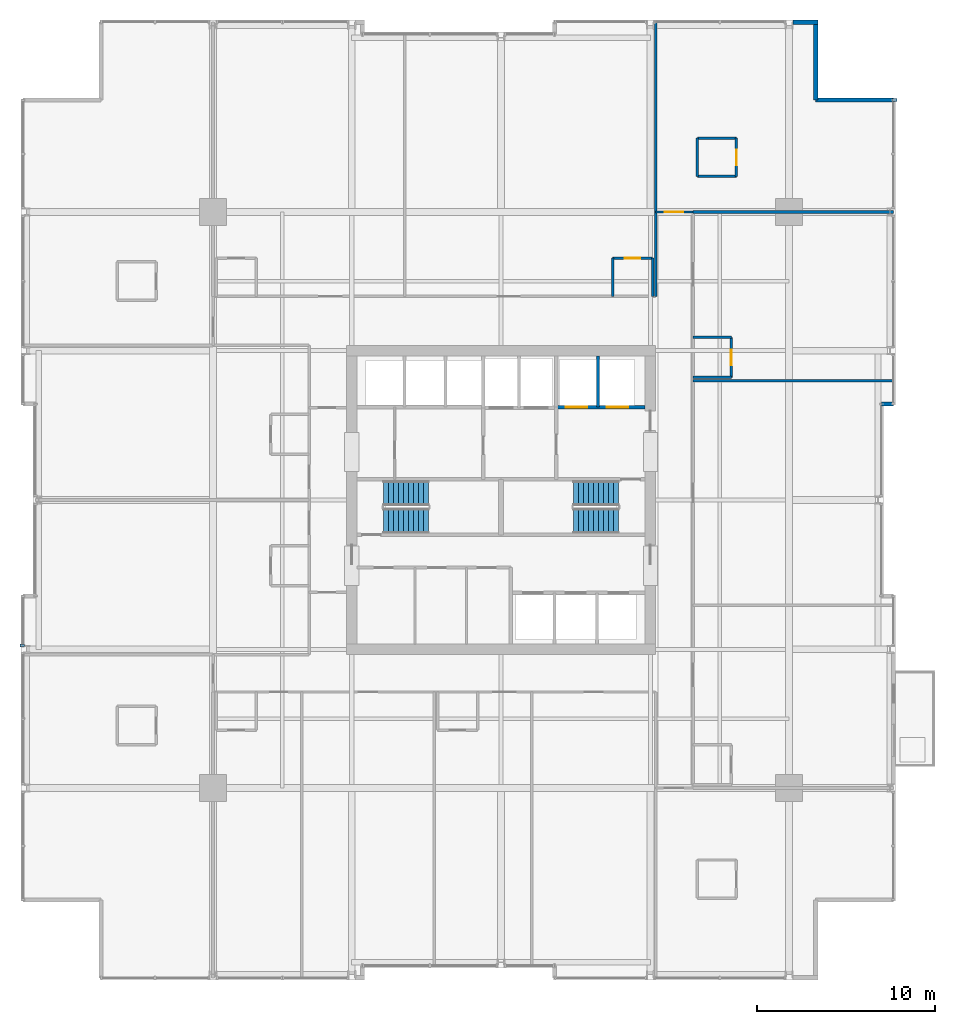
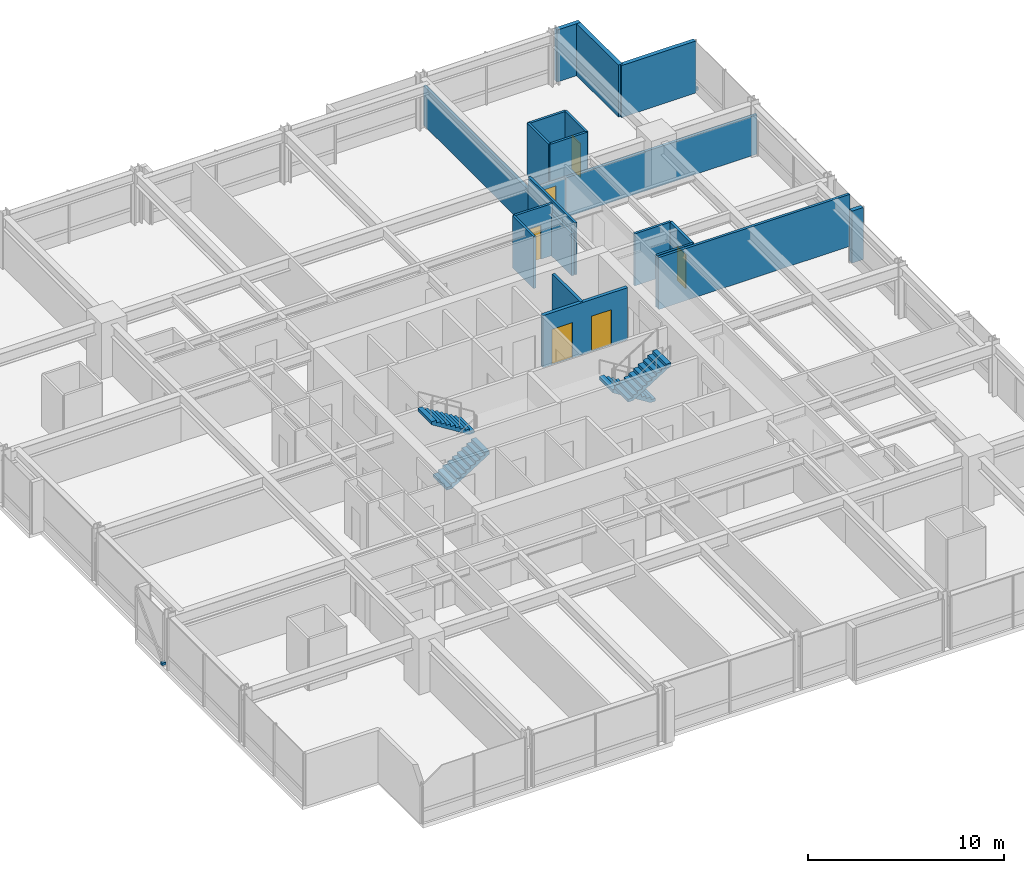
# One storey, part 31 of 34: 21 walls, 6 doors, 4 stair flights, 2 discrete accessories, 6 openings, 2 elements without a shape of their own.
"""IFC4 building model written with IfcOpenShell, lengths in metres."""

from ifc_helpers import new_model, si_unit, direction, frame, frame_2d, origin, origin_2d, place, context, subcontext, project, spatial, polyline, rectangle, outline, extrude, material, layer, layer_set, type_object, element, fill, aggregate, save


model = new_model("IFC4")

# Units and contexts
model_context = context("Model", 3, precision=1e-05, world=origin(), true_north=direction((0.0, 1.0)))
body_context = subcontext(model_context, "Body", "Model", "MODEL_VIEW")
ifc_project = project(units=[si_unit("LENGTHUNIT", "METRE"), si_unit("AREAUNIT", "SQUARE_METRE"), si_unit("VOLUMEUNIT", "CUBIC_METRE"), si_unit("PLANEANGLEUNIT", "RADIAN"), si_unit("MASSUNIT", "GRAM", prefix="KILO")], contexts=[model_context])

# Site, building, storey
site_placement = place(None, origin())
site = spatial("IfcSite", under=ifc_project, at=site_placement, CompositionType="ELEMENT")
building_placement = place(site_placement, origin())
building = spatial("IfcBuilding", under=site, at=building_placement, Name="Drelvath Grand Hotel", CompositionType="ELEMENT")
storey_placement = place(building_placement, frame((0.0, 0.0, 112.800048828125)))
storey = spatial("IfcBuildingStorey", under=building, at=storey_placement, Name="L28", CompositionType="ELEMENT", Elevation=112.800048828125)

# Wall, openings, doors
ifc_material_1 = material(Name="Concrete C40/50", Category="concrete")
ifc_layer_1 = layer(ifc_material_1, 0.199951171875)
ifc_layer_set_1 = layer_set([ifc_layer_1], Name="Concrete C40/50")
wall_type_1 = type_object("IfcWallType", Name="Core Hoistway Fire Wall 200", PredefinedType="SOLIDWALL", material=ifc_layer_set_1)
wall_1_placement = place(storey_placement, frame((3.10009765625, 32.219970703125, 0.0), z_axis=(0.0, 0.0, 1.0), x_axis=(1.0, 0.0, 0.0)))
wall_1 = element("IfcWall", 1, at=wall_1_placement, inside=storey, type_object=wall_type_1, Name="L28 FSAE Hoistway Front Wall", PredefinedType="SOLIDWALL", context=body_context, shape_type="SweptSolid", body=[
    extrude(rectangle(XDim=5.0, YDim=0.199951171875, at=frame_2d((2.5, 0.0))), origin(), (0.0, 0.0, 1.0), 3.239990234375),
])
opening_1_placement = place(wall_1_placement, frame((0.550048828125, 0.0, 0.0)))
opening_1 = element("IfcOpeningElement", 2, at=opening_1_placement, cuts=wall_1, Name="Opening LD-FSAE-1", PredefinedType="OPENING", context=body_context, shape_type="SweptSolid", body=[
    extrude(rectangle(XDim=1.199951171875, YDim=2.199951171875, at=frame_2d((0.60009765625, 1.10009765625))), frame((0.0, 0.10986328125, 0.0), z_axis=(0.0, -1.0, 0.0), x_axis=(1.0, 0.0, 0.0)), (0.0, 0.0, 1.0), 0.219970703125),
])
opening_2_placement = place(wall_1_placement, frame((2.85009765625, 0.0, 0.0)))
opening_2 = element("IfcOpeningElement", 3, at=opening_2_placement, cuts=wall_1, Name="Opening LD-FSAE-2", PredefinedType="OPENING", context=body_context, shape_type="SweptSolid", body=[
    extrude(rectangle(XDim=1.199951171875, YDim=2.199951171875, at=frame_2d((0.60009765625, 1.10009765625))), frame((0.0, 0.10986328125, 0.0), z_axis=(0.0, -1.0, 0.0), x_axis=(1.0, 0.0, 0.0)), (0.0, 0.0, 1.0), 0.219970703125),
])
ifc_material_2 = material(Name="Stainless Steel S355", Category="steel")
door_type_1 = type_object("IfcDoorType", Name="FSAE Lift Sliding Landing Door 1200x2200", OperationType="NOTDEFINED", PredefinedType="DOOR", material=ifc_material_2)
door_1_placement = place(opening_1_placement, origin())
door_1 = element("IfcDoor", 4, at=door_1_placement, inside=storey, type_object=door_type_1, Name="L28 Lift FSAE-1 Landing Door", OperationType="SLIDING_TO_LEFT", OverallHeight=2.199951171875, OverallWidth=1.199951171875, PredefinedType="DOOR", context=body_context, shape_type="SweptSolid", body=[
    extrude(rectangle(XDim=1.199951171875, YDim=2.199951171875, at=frame_2d((0.60009765625, 1.10009765625))), frame((0.0, 0.02490234375, 0.0), z_axis=(0.0, -1.0, 0.0), x_axis=(1.0, 0.0, 0.0)), (0.0, 0.0, 1.0), 0.050048828125),
])
fill(opening_1, door_1)
door_2_placement = place(opening_2_placement, origin())
door_2 = element("IfcDoor", 5, at=door_2_placement, inside=storey, type_object=door_type_1, Name="L28 Lift FSAE-2 Landing Door", OperationType="SLIDING_TO_LEFT", OverallHeight=2.199951171875, OverallWidth=1.199951171875, PredefinedType="DOOR", context=body_context, shape_type="SweptSolid", body=[
    extrude(rectangle(XDim=1.199951171875, YDim=2.199951171875, at=frame_2d((0.60009765625, 1.10009765625))), frame((0.0, 0.02490234375, 0.0), z_axis=(0.0, -1.0, 0.0), x_axis=(1.0, 0.0, 0.0)), (0.0, 0.0, 1.0), 0.050048828125),
])
fill(opening_2, door_2)

# Walls
ifc_material_3 = material(Name="Gypsum Fireboard Partition")
ifc_layer_2 = layer(ifc_material_3, 0.1650390625)
ifc_layer_set_2 = layer_set([ifc_layer_2], Name="Gypsum Fireboard Partition")
wall_type_2 = type_object("IfcWallType", Name="Core Shaft Partition 165", PredefinedType="PARTITIONING", material=ifc_layer_set_2)
wall_2_placement = place(storey_placement, frame((5.449951171875, 32.219970703125, 0.0), z_axis=(0.0, 0.0, 1.0), x_axis=(0.0, 1.0, 0.0)))
element("IfcWall", 6, at=wall_2_placement, inside=storey, type_object=wall_type_2, Name="L28 FSAE Hoistway Divider", PredefinedType="PARTITIONING", context=body_context, shape_type="SweptSolid", body=[
    extrude(rectangle(XDim=2.880126953125, YDim=0.1650390625, at=frame_2d((1.43994140625, 0.0))), origin(), (0.0, 0.0, 1.0), 3.239990234375),
])
ifc_layer_3 = layer(ifc_material_3, 0.135009765625)
ifc_layer_set_3 = layer_set([ifc_layer_3], Name="Gypsum Fireboard Partition")
wall_type_3 = type_object("IfcWallType", Name="Corridor Fire Barrier Wall 135", PredefinedType="PARTITIONING", material=ifc_layer_set_3)
wall_3_placement = place(storey_placement, frame((8.699951171875, 38.449951171875, 0.0), z_axis=(0.0, 0.0, 1.0), x_axis=(0.0, 1.0, 0.0)))
element("IfcWall", 7, at=wall_3_placement, inside=storey, type_object=wall_type_3, Name="L28 East Spine North Inner Wall", PredefinedType="PARTITIONING", context=body_context, shape_type="SweptSolid", body=[
    extrude(rectangle(XDim=4.75, YDim=0.135009765625, at=frame_2d((2.375, 0.0))), origin(), (0.0, 0.0, 1.0), 3.239990234375),
])

# Wall, opening, door
wall_4_placement = place(storey_placement, frame((8.699951171875, 43.199951171875, 0.0), z_axis=(0.0, 0.0, 1.0), x_axis=(1.0, 0.0, 0.0)))
wall_4 = element("IfcWall", 8, at=wall_4_placement, inside=storey, type_object=wall_type_3, Name="L28 East Spine North End", PredefinedType="PARTITIONING", context=body_context, shape_type="SweptSolid", body=[
    extrude(rectangle(XDim=2.10009765625, YDim=0.135009765625, at=frame_2d((1.050048828125, 0.0))), origin(), (0.0, 0.0, 1.0), 2.45166015625),
])
opening_3_placement = place(wall_4_placement, frame((0.52001953125, 0.0, 0.0)))
opening_3 = element("IfcOpeningElement", 9, at=opening_3_placement, cuts=wall_4, Name="Opening D-T2G3-028", PredefinedType="OPENING", context=body_context, shape_type="SweptSolid", body=[
    extrude(rectangle(XDim=1.02001953125, YDim=2.14990234375, at=frame_2d((0.510009765625, 1.074951171875))), frame((0.0, 0.077392578125, 0.0), z_axis=(0.0, -1.0, 0.0), x_axis=(1.0, 0.0, 0.0)), (0.0, 0.0, 1.0), 0.155029296875),
])
ifc_material_4 = material(Name="Hardwood Walnut Timber", Category="wood")
door_type_2 = type_object("IfcDoorType", Name="Amenity Meeting Fire Door 1020x2150", OperationType="NOTDEFINED", PredefinedType="DOOR", material=ifc_material_4)
door_3_placement = place(opening_3_placement, origin())
door_3 = element("IfcDoor", 10, at=door_3_placement, inside=storey, type_object=door_type_2, Name="L28 Corner Suite Entry Door", OperationType="SINGLE_SWING_LEFT", OverallHeight=2.14990234375, OverallWidth=1.02001953125, PredefinedType="DOOR", context=body_context, shape_type="SweptSolid", body=[
    extrude(rectangle(XDim=1.02001953125, YDim=2.14990234375, at=frame_2d((0.510009765625, 1.074951171875))), frame((0.0, 0.02490234375, 0.0), z_axis=(0.0, -1.0, 0.0), x_axis=(1.0, 0.0, 0.0)), (0.0, 0.0, 1.0), 0.050048828125),
])
fill(opening_3, door_3)

# Walls
ifc_material_5 = material(Name="Moisture-Resistant Gypsum Board")
ifc_layer_4 = layer(ifc_material_5, 0.139892578125)
ifc_layer_set_4 = layer_set([ifc_layer_4], Name="Moisture-Resistant Gypsum Board")
wall_type_4 = type_object("IfcWallType", Name="En-Suite Plumbing Wall 140", PredefinedType="PLUMBINGWALL", material=ifc_layer_set_4)
for number, where, z_axis, x_axis, name in (
    (11, (11.0400390625, 45.199951171875, 0.0), (0.0, 0.0, 1.0), (1.0, 0.0, 0.0), "L28 Corner En-Suite South"),
    (12, (11.0400390625, 47.35009765625, 0.0), (0.0, 0.0, 1.0), (1.0, 0.0, 0.0), "L28 Corner En-Suite North"),
):
    element("IfcWall", number, at=place(storey_placement, frame(where, z_axis=z_axis, x_axis=x_axis)), inside=storey, type_object=wall_type_4, Name=name, PredefinedType="PLUMBINGWALL", context=body_context, shape_type="SweptSolid", body=[
        extrude(rectangle(XDim=2.199951171875, YDim=0.139892578125, at=frame_2d((1.10009765625, 0.0))), origin(), (0.0, 0.0, 1.0), 3.239990234375),
    ])
wall_5_placement = place(storey_placement, frame((11.0400390625, 45.199951171875, 0.0), z_axis=(0.0, 0.0, 1.0), x_axis=(0.0, 1.0, 0.0)))
element("IfcWall", 13, at=wall_5_placement, inside=storey, type_object=wall_type_4, Name="L28 Corner En-Suite West", PredefinedType="PLUMBINGWALL", context=body_context, shape_type="SweptSolid", body=[
    extrude(rectangle(XDim=2.150146484375, YDim=0.139892578125, at=frame_2d((1.0751953125, 0.0))), origin(), (0.0, 0.0, 1.0), 3.239990234375),
])

# Wall, opening, door
wall_6_placement = place(storey_placement, frame((13.239990234375, 45.199951171875, 0.0), z_axis=(0.0, 0.0, 1.0), x_axis=(0.0, 1.0, 0.0)))
wall_6 = element("IfcWall", 14, at=wall_6_placement, inside=storey, type_object=wall_type_4, Name="L28 Corner En-Suite East", PredefinedType="PLUMBINGWALL", context=body_context, shape_type="SweptSolid", body=[
    extrude(rectangle(XDim=2.150146484375, YDim=0.139892578125, at=frame_2d((1.0751953125, 0.0))), origin(), (0.0, 0.0, 1.0), 3.239990234375),
])
opening_4_placement = place(wall_6_placement, frame((0.6201171875, 0.0, 0.0)))
opening_4 = element("IfcOpeningElement", 15, at=opening_4_placement, cuts=wall_6, Name="Opening D-T2G3-027", PredefinedType="OPENING", context=body_context, shape_type="SweptSolid", body=[
    extrude(rectangle(XDim=0.8798828125, YDim=2.10009765625, at=frame_2d((0.43994140625, 1.050048828125))), frame((0.0, 0.079833984375, 0.0), z_axis=(0.0, -1.0, 0.0), x_axis=(1.0, 0.0, 0.0)), (0.0, 0.0, 1.0), 0.159912109375),
])
door_type_3 = type_object("IfcDoorType", Name="En-Suite Bathroom Door 880x2100", OperationType="NOTDEFINED", PredefinedType="DOOR", material=ifc_material_4)
door_4_placement = place(opening_4_placement, origin())
door_4 = element("IfcDoor", 16, at=door_4_placement, inside=storey, type_object=door_type_3, Name="L28 Corner En-Suite Door", OperationType="SINGLE_SWING_RIGHT", OverallHeight=2.10009765625, OverallWidth=0.8798828125, PredefinedType="DOOR", context=body_context, shape_type="SweptSolid", body=[
    extrude(rectangle(XDim=0.8798828125, YDim=2.10009765625, at=frame_2d((0.43994140625, 1.050048828125))), frame((0.0, 0.02490234375, 0.0), z_axis=(0.0, -1.0, 0.0), x_axis=(1.0, 0.0, 0.0)), (0.0, 0.0, 1.0), 0.050048828125),
])
fill(opening_4, door_4)

# Walls
wall_7_placement = place(storey_placement, frame((6.27001953125, 38.449951171875, 0.0), z_axis=(0.0, 0.0, 1.0), x_axis=(0.0, 1.0, 0.0)))
element("IfcWall", 17, at=wall_7_placement, inside=storey, type_object=wall_type_4, Name="L28 En-Suite Left Wall", PredefinedType="PLUMBINGWALL", context=body_context, shape_type="SweptSolid", body=[
    extrude(rectangle(XDim=2.150146484375, YDim=0.139892578125, at=frame_2d((1.0751953125, 0.0))), origin(), (0.0, 0.0, 1.0), 3.239990234375),
])
wall_8_placement = place(storey_placement, frame((8.52001953125, 38.449951171875, 0.0), z_axis=(0.0, 0.0, 1.0), x_axis=(0.0, 1.0, 0.0)))
element("IfcWall", 18, at=wall_8_placement, inside=storey, type_object=wall_type_4, Name="L28 En-Suite Right Wall", PredefinedType="PLUMBINGWALL", context=body_context, shape_type="SweptSolid", body=[
    extrude(rectangle(XDim=2.150146484375, YDim=0.139892578125, at=frame_2d((1.0751953125, 0.0))), origin(), (0.0, 0.0, 1.0), 2.617431640625),
])

# Wall, opening, door
wall_9_placement = place(storey_placement, frame((6.27001953125, 40.60009765625, 0.0), z_axis=(0.0, 0.0, 1.0), x_axis=(1.0, 0.0, 0.0)))
wall_9 = element("IfcWall", 19, at=wall_9_placement, inside=storey, type_object=wall_type_4, Name="L28 En-Suite Front Wall", PredefinedType="PLUMBINGWALL", context=body_context, shape_type="SweptSolid", body=[
    extrude(rectangle(XDim=2.25, YDim=0.139892578125, at=frame_2d((1.125, 0.0))), origin(), (0.0, 0.0, 1.0), 3.239990234375),
])
opening_5_placement = place(wall_9_placement, frame((0.68505859375, 0.0, 0.0)))
opening_5 = element("IfcOpeningElement", 20, at=opening_5_placement, cuts=wall_9, Name="Opening D-T2G3-037", PredefinedType="OPENING", context=body_context, shape_type="SweptSolid", body=[
    extrude(rectangle(XDim=0.8798828125, YDim=2.10009765625, at=frame_2d((0.43994140625, 1.050048828125))), frame((0.0, 0.079833984375, 0.0), z_axis=(0.0, -1.0, 0.0), x_axis=(1.0, 0.0, 0.0)), (0.0, 0.0, 1.0), 0.159912109375),
])
door_5_placement = place(opening_5_placement, origin())
door_5 = element("IfcDoor", 21, at=door_5_placement, inside=storey, type_object=door_type_3, Name="L28 En-Suite Bathroom Door", OperationType="SINGLE_SWING_RIGHT", OverallHeight=2.10009765625, OverallWidth=0.8798828125, PredefinedType="DOOR", context=body_context, shape_type="SweptSolid", body=[
    extrude(rectangle(XDim=0.8798828125, YDim=2.10009765625, at=frame_2d((0.43994140625, 1.050048828125))), frame((0.0, 0.02490234375, 0.0), z_axis=(0.0, -1.0, 0.0), x_axis=(1.0, 0.0, 0.0)), (0.0, 0.0, 1.0), 0.050048828125),
])
fill(opening_5, door_5)

# Walls
for number, where, z_axis, x_axis, name in (
    (22, (10.800048828125, 33.897216796875, 0.0), (0.0, 0.0, 1.0), (1.0, 0.0, 0.0), "L28 En-Suite Left Wall"),
    (23, (10.800048828125, 36.147216796875, 0.0), (0.0, 0.0, 1.0), (1.0, 0.0, 0.0), "L28 En-Suite Right Wall"),
):
    element("IfcWall", number, at=place(storey_placement, frame(where, z_axis=z_axis, x_axis=x_axis)), inside=storey, type_object=wall_type_4, Name=name, PredefinedType="PLUMBINGWALL", context=body_context, shape_type="SweptSolid", body=[
        extrude(rectangle(XDim=2.14990234375, YDim=0.139892578125, at=frame_2d((1.074951171875, 0.0))), origin(), (0.0, 0.0, 1.0), 3.239990234375),
    ])

# Wall, opening, door
wall_10_placement = place(storey_placement, frame((12.949951171875, 33.897216796875, 0.0), z_axis=(0.0, 0.0, 1.0), x_axis=(0.0, 1.0, 0.0)))
wall_10 = element("IfcWall", 24, at=wall_10_placement, inside=storey, type_object=wall_type_4, Name="L28 En-Suite Front Wall", PredefinedType="PLUMBINGWALL", context=body_context, shape_type="SweptSolid", body=[
    extrude(rectangle(XDim=2.25, YDim=0.139892578125, at=frame_2d((1.125, 0.0))), origin(), (0.0, 0.0, 1.0), 3.239990234375),
])
opening_6_placement = place(wall_10_placement, frame((0.68505859375, 0.0, 0.0)))
opening_6 = element("IfcOpeningElement", 25, at=opening_6_placement, cuts=wall_10, Name="Opening D-T2G3-042", PredefinedType="OPENING", context=body_context, shape_type="SweptSolid", body=[
    extrude(rectangle(XDim=0.8798828125, YDim=2.10009765625, at=frame_2d((0.43994140625, 1.050048828125))), frame((0.0, 0.079833984375, 0.0), z_axis=(0.0, -1.0, 0.0), x_axis=(1.0, 0.0, 0.0)), (0.0, 0.0, 1.0), 0.159912109375),
])
door_6_placement = place(opening_6_placement, origin())
door_6 = element("IfcDoor", 26, at=door_6_placement, inside=storey, type_object=door_type_3, Name="L28 En-Suite Bathroom Door", OperationType="SINGLE_SWING_LEFT", OverallHeight=2.10009765625, OverallWidth=0.8798828125, PredefinedType="DOOR", context=body_context, shape_type="SweptSolid", body=[
    extrude(rectangle(XDim=0.8798828125, YDim=2.10009765625, at=frame_2d((0.43994140625, 1.050048828125))), frame((0.0, 0.02490234375, 0.0), z_axis=(0.0, -1.0, 0.0), x_axis=(1.0, 0.0, 0.0)), (0.0, 0.0, 1.0), 0.050048828125),
])
fill(opening_6, door_6)

# Walls
ifc_material_6 = material(Name="Gypsum Acoustic Partition")
ifc_layer_5 = layer(ifc_material_6, 0.14990234375)
ifc_layer_set_5 = layer_set([ifc_layer_5], Name="Gypsum Acoustic Partition")
wall_type_5 = type_object("IfcWallType", Name="Guestroom Demising Wall 150", PredefinedType="PARTITIONING", material=ifc_layer_set_5)
wall_11_placement = place(storey_placement, frame((10.800048828125, 33.717041015625, 0.0), z_axis=(0.0, 0.0, 1.0), x_axis=(1.0, 0.0, 0.0)))
element("IfcWall", 27, at=wall_11_placement, inside=storey, type_object=wall_type_5, Name="L28 East Demising 2", PredefinedType="PARTITIONING", context=body_context, shape_type="SweptSolid", body=[
    extrude(rectangle(XDim=11.280029296875, YDim=0.14990234375, at=frame_2d((5.64013671875, 0.0))), origin(), (0.0, 0.0, 1.0), 3.239990234375),
])
ifc_layer_6 = layer(ifc_material_6, 0.1650390625)
ifc_layer_set_6 = layer_set([ifc_layer_6], Name="Gypsum Acoustic Partition")
wall_type_6 = type_object("IfcWallType", Name="Suite Demising Wall 165", PredefinedType="PARTITIONING", material=ifc_layer_set_6)
wall_12_placement = place(storey_placement, frame((8.699951171875, 43.199951171875, 0.0), z_axis=(0.0, 0.0, 1.0), x_axis=(0.0, 1.0, 0.0)))
element("IfcWall", 28, at=wall_12_placement, inside=storey, type_object=wall_type_6, Name="L28 NE Suite West Wall", PredefinedType="PARTITIONING", context=body_context, shape_type="SweptSolid", body=[
    extrude(rectangle(XDim=10.679931640625, YDim=0.1650390625, at=frame_2d((5.33984375, 0.0))), origin(), (0.0, 0.0, 1.0), 2.45166015625),
])
wall_13_placement = place(storey_placement, frame((10.800048828125, 43.199951171875, 0.0), z_axis=(0.0, 0.0, 1.0), x_axis=(1.0, 0.0, 0.0)))
element("IfcWall", 29, at=wall_13_placement, inside=storey, type_object=wall_type_6, Name="L28 NE Suite South Wall", PredefinedType="PARTITIONING", context=body_context, shape_type="SweptSolid", body=[
    extrude(rectangle(XDim=11.280029296875, YDim=0.1650390625, at=frame_2d((5.64013671875, 0.0))), origin(), (0.0, 0.0, 1.0), 2.45166015625),
])
ifc_material_7 = material(Name="Pale-Metal Insulated Aluminium Spandrel Assembly", Category="aluminium")
ifc_layer_7 = layer(ifc_material_7, 0.239990234375)
ifc_layer_set_7 = layer_set([ifc_layer_7], Name="Pale-Metal Insulated Aluminium Spandrel Assembly")
wall_type_7 = type_object("IfcWallType", Name="Tower Insulated Metal Spandrel Closure Wall 240", PredefinedType="STANDARD", material=ifc_layer_set_7)
wall_14_placement = place(storey_placement, frame((16.419677734375, 53.8798828125, 0.0), z_axis=(0.0, 0.0, 1.0), x_axis=(1.0, 0.0, 0.0)))
element("IfcWall", 30, at=wall_14_placement, inside=storey, type_object=wall_type_7, Name="L28 Corner Pier Spandrel Wall NE3", PredefinedType="STANDARD", context=body_context, shape_type="SweptSolid", body=[
    extrude(rectangle(XDim=1.400390625, YDim=0.239990234375, at=frame_2d((0.7001953125, 0.0))), origin(), (0.0, 0.0, 1.0), 3.239990234375),
])
wall_15_placement = place(storey_placement, frame((17.699951171875, 53.760009765625, 0.0), z_axis=(0.0, 0.0, 1.0), x_axis=(0.0, -1.0, 0.0)))
element("IfcWall", 31, at=wall_15_placement, inside=storey, type_object=wall_type_7, Name="L28 Notched Corner Return Spandrel Wall CNE1", PredefinedType="STANDARD", context=body_context, shape_type="SweptSolid", body=[
    extrude(rectangle(XDim=4.260009765625, YDim=0.239990234375, at=frame_2d((2.1298828125, 0.0))), origin(), (0.0, 0.0, 1.0), 3.239990234375),
])
wall_16_placement = place(storey_placement, frame((17.699951171875, 49.5, 0.0), z_axis=(0.0, 0.0, 1.0), x_axis=(1.0, 0.0, 0.0)))
element("IfcWall", 32, at=wall_16_placement, inside=storey, type_object=wall_type_7, Name="L28 Notched Corner Return Spandrel Wall CNE2", PredefinedType="STANDARD", context=body_context, shape_type="SweptSolid", body=[
    extrude(rectangle(XDim=4.380126953125, YDim=0.239990234375, at=frame_2d((2.18994140625, 0.0))), origin(), (0.0, 0.0, 1.0), 3.239990234375),
])
wall_17_placement = place(storey_placement, frame((22.080078125, 32.39990234375, 0.0), z_axis=(0.0, 0.0, 1.0), x_axis=(-1.0, 0.0, 0.0)))
element("IfcWall", 33, at=wall_17_placement, inside=storey, type_object=wall_type_7, Name="L28 Notched Corner Return Spandrel Wall RE1", PredefinedType="STANDARD", context=body_context, shape_type="SweptSolid", body=[
    extrude(rectangle(XDim=0.68017578125, YDim=0.239990234375, at=frame_2d((0.340087890625, 0.0))), origin(), (0.0, 0.0, 1.0), 3.239990234375),
])

# Stair, stair flights
stair_type = type_object("IfcStairType", Name="Dogleg Exit Stair W1400-R175.0", PredefinedType="HALF_TURN_STAIR", material=ifc_material_1)
stair_1_placement = place(storey_placement, origin())
stair_1 = element("IfcStair", 34, at=stair_1_placement, inside=storey, type_object=stair_type, Name="L28 Core Exit Stair ST-1", PredefinedType="HALF_TURN_STAIR")
stair_flight_type = type_object("IfcStairFlightType", Name="Concrete Stair Flight W1400-R175.0", PredefinedType="STRAIGHT", material=ifc_material_1)
stair_flight_1_placement = place(storey_placement, frame((-6.60009765625, 25.820068359375, 0.0), z_axis=(0.0, 0.0, 1.0), x_axis=(1.0, 0.0, 0.0)))
stair_flight_1 = element("IfcStairFlight", 35, at=stair_flight_1_placement, type_object=stair_flight_type, Name="ST-1 flight 1", NumberOfRisers=10, NumberOfTreads=9, PredefinedType="STRAIGHT", RiserHeight=0.175, TreadLength=0.28, context=body_context, shape_type="SweptSolid", body=[
    extrude(outline(polyline([(0.0, 0.0), (0.0, 0.175048828125), (0.280029296875, 0.175048828125), (0.280029296875, 0.35009765625), (0.56005859375, 0.35009765625), (0.56005859375, 0.52490234375), (0.840087890625, 0.52490234375), (0.840087890625, 0.699951171875), (1.1201171875, 0.699951171875), (1.1201171875, 0.875), (1.39990234375, 0.875), (1.39990234375, 1.050048828125), (1.679931640625, 1.050048828125), (1.679931640625, 1.22509765625), (1.9599609375, 1.22509765625), (1.9599609375, 1.39990234375), (2.239990234375, 1.39990234375), (2.239990234375, 1.574951171875), (2.52001953125, 1.574951171875), (2.52001953125, 1.75), (2.52001953125, 1.386474609375), (0.3017578125, 0.0), (0.0, 0.0)])), frame((0.0, 0.699951171875, 0.0), z_axis=(0.0, -1.0, 0.0), x_axis=(1.0, 0.0, 0.0)), (0.0, 0.0, 1.0), 1.39990234375),
])
stair_flight_2_placement = place(storey_placement, frame((-4.080078125, 27.3798828125, 1.75), z_axis=(0.0, 0.0, 1.0), x_axis=(-1.0, 0.0, 0.0)))
stair_flight_2 = element("IfcStairFlight", 36, at=stair_flight_2_placement, type_object=stair_flight_type, Name="ST-1 flight 2", NumberOfRisers=10, NumberOfTreads=9, PredefinedType="STRAIGHT", RiserHeight=0.175, TreadLength=0.28, context=body_context, shape_type="SweptSolid", body=[
    extrude(outline(polyline([(0.0, 0.0), (0.0, 0.175048828125), (0.280029296875, 0.175048828125), (0.280029296875, 0.35009765625), (0.56005859375, 0.35009765625), (0.56005859375, 0.52490234375), (0.840087890625, 0.52490234375), (0.840087890625, 0.699951171875), (1.1201171875, 0.699951171875), (1.1201171875, 0.875), (1.39990234375, 0.875), (1.39990234375, 1.050048828125), (1.679931640625, 1.050048828125), (1.679931640625, 1.22509765625), (1.9599609375, 1.22509765625), (1.9599609375, 1.39990234375), (2.239990234375, 1.39990234375), (2.239990234375, 1.574951171875), (2.52001953125, 1.574951171875), (2.52001953125, 1.75), (2.52001953125, 1.386474609375), (0.3017578125, 0.0), (0.0, 0.0)])), frame((0.0, 0.699951171875, 0.0), z_axis=(0.0, -1.0, 0.0), x_axis=(1.0, 0.0, 0.0)), (0.0, 0.0, 1.0), 1.39990234375),
])
aggregate(stair_1, [stair_flight_1, stair_flight_2])

stair_2_placement = place(storey_placement, origin())
stair_2 = element("IfcStair", 37, at=stair_2_placement, inside=storey, type_object=stair_type, Name="L28 Core Exit Stair ST-2", PredefinedType="HALF_TURN_STAIR")
stair_flight_3_placement = place(storey_placement, frame((6.60009765625, 27.3798828125, 0.0), z_axis=(0.0, 0.0, 1.0), x_axis=(-1.0, 0.0, 0.0)))
stair_flight_3 = element("IfcStairFlight", 38, at=stair_flight_3_placement, type_object=stair_flight_type, Name="ST-2 flight 1", NumberOfRisers=10, NumberOfTreads=9, PredefinedType="STRAIGHT", RiserHeight=0.175, TreadLength=0.28, context=body_context, shape_type="SweptSolid", body=[
    extrude(outline(polyline([(0.0, 0.0), (0.0, 0.175048828125), (0.280029296875, 0.175048828125), (0.280029296875, 0.35009765625), (0.56005859375, 0.35009765625), (0.56005859375, 0.52490234375), (0.840087890625, 0.52490234375), (0.840087890625, 0.699951171875), (1.1201171875, 0.699951171875), (1.1201171875, 0.875), (1.39990234375, 0.875), (1.39990234375, 1.050048828125), (1.679931640625, 1.050048828125), (1.679931640625, 1.22509765625), (1.9599609375, 1.22509765625), (1.9599609375, 1.39990234375), (2.239990234375, 1.39990234375), (2.239990234375, 1.574951171875), (2.52001953125, 1.574951171875), (2.52001953125, 1.75), (2.52001953125, 1.386474609375), (0.3017578125, 0.0), (0.0, 0.0)])), frame((0.0, 0.699951171875, 0.0), z_axis=(0.0, -1.0, 0.0), x_axis=(1.0, 0.0, 0.0)), (0.0, 0.0, 1.0), 1.39990234375),
])
stair_flight_4_placement = place(storey_placement, frame((4.080078125, 25.820068359375, 1.75), z_axis=(0.0, 0.0, 1.0), x_axis=(1.0, 0.0, 0.0)))
stair_flight_4 = element("IfcStairFlight", 39, at=stair_flight_4_placement, type_object=stair_flight_type, Name="ST-2 flight 2", NumberOfRisers=10, NumberOfTreads=9, PredefinedType="STRAIGHT", RiserHeight=0.175, TreadLength=0.28, context=body_context, shape_type="SweptSolid", body=[
    extrude(outline(polyline([(0.0, 0.0), (0.0, 0.175048828125), (0.280029296875, 0.175048828125), (0.280029296875, 0.35009765625), (0.56005859375, 0.35009765625), (0.56005859375, 0.52490234375), (0.840087890625, 0.52490234375), (0.840087890625, 0.699951171875), (1.1201171875, 0.699951171875), (1.1201171875, 0.875), (1.39990234375, 0.875), (1.39990234375, 1.050048828125), (1.679931640625, 1.050048828125), (1.679931640625, 1.22509765625), (1.9599609375, 1.22509765625), (1.9599609375, 1.39990234375), (2.239990234375, 1.39990234375), (2.239990234375, 1.574951171875), (2.52001953125, 1.574951171875), (2.52001953125, 1.75), (2.52001953125, 1.386474609375), (0.3017578125, 0.0), (0.0, 0.0)])), frame((0.0, 0.699951171875, 0.0), z_axis=(0.0, -1.0, 0.0), x_axis=(1.0, 0.0, 0.0)), (0.0, 0.0, 1.0), 1.39990234375),
])
aggregate(stair_2, [stair_flight_3, stair_flight_4])

# Discrete accessories
ifc_material_8 = material(Name="Stainless Steel Grade 316", Category="steel")
discrete_accessory_type = type_object("IfcDiscreteAccessoryType", Name="Curtain Wall Fin Mounting Bracket Cleat", PredefinedType="BRACKET", material=ifc_material_8)
for number, where, z_axis, x_axis, name in (
    (40, (-26.93994140625, 18.819580078125, 0.10009765625), (0.0, 0.0, 1.0), (0.0, 1.0, 0.0), "L28 Fin Mounting Bracket CW03-L28-WS3-1"),
    (41, (22.139892578125, 49.5, 0.10009765625), (0.0, 0.0, 1.0), (0.0, -1.0, 0.0), "L28 Fin Mounting Bracket CW03-L28-EN3-1"),
):
    element("IfcDiscreteAccessory", number, at=place(storey_placement, frame(where, z_axis=z_axis, x_axis=x_axis)), inside=storey, type_object=discrete_accessory_type, Name=name, PredefinedType="BRACKET", context=body_context, shape_type="SweptSolid", body=[
        extrude(rectangle(XDim=0.159912109375, YDim=0.239990234375, at=origin_2d()), origin(), (0.0, 0.0, 1.0), 0.159912109375),
    ])

save(model, "model.ifc")
